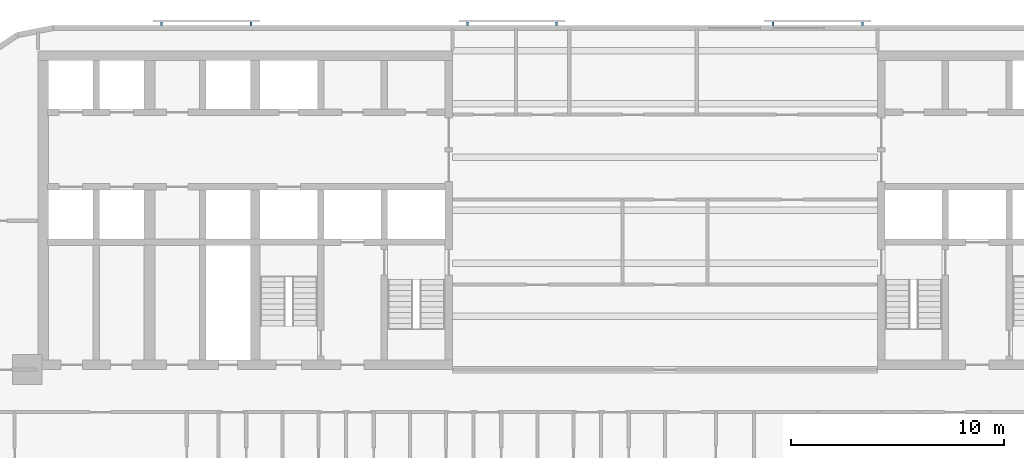
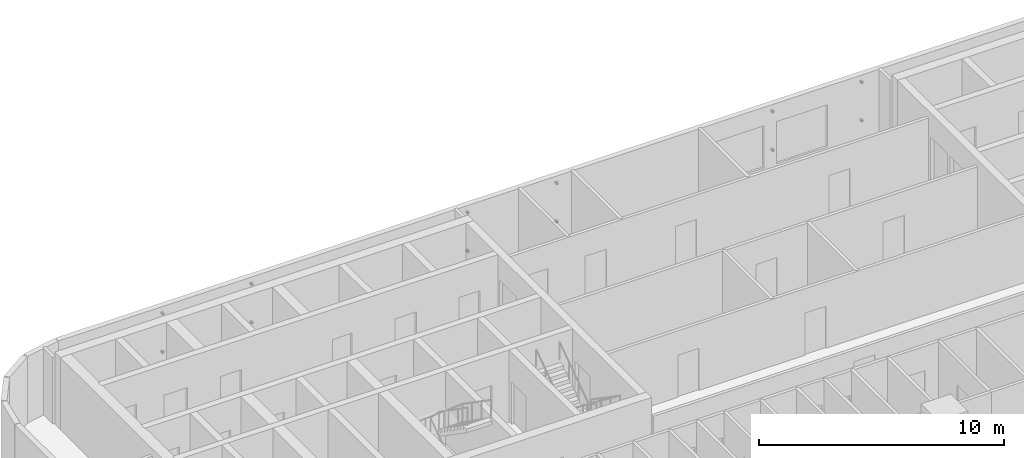
# One storey, part 9 of 13: 12 discrete accessories.
"""IFC4 building model written with IfcOpenShell, lengths in metres."""

from ifc_helpers import new_model, si_unit, direction, frame, origin, origin_2d, place, context, subcontext, project, spatial, rectangle, extrude, material, type_object, element, save


model = new_model("IFC4")

# Units and contexts
model_context = context("Model", 3, precision=1e-05, world=origin(), true_north=direction((0.0, 1.0)))
body_context = subcontext(model_context, "Body", "Model", "MODEL_VIEW")
ifc_project = project(units=[si_unit("LENGTHUNIT", "METRE"), si_unit("AREAUNIT", "SQUARE_METRE"), si_unit("VOLUMEUNIT", "CUBIC_METRE"), si_unit("PLANEANGLEUNIT", "RADIAN"), si_unit("MASSUNIT", "GRAM", prefix="KILO")], contexts=[model_context])

# Site, building, storey
site_placement = place(None, origin())
site = spatial("IfcSite", under=ifc_project, at=site_placement, CompositionType="ELEMENT")
building_placement = place(site_placement, origin())
building = spatial("IfcBuilding", under=site, at=building_placement, Name="Torana Hotel and Residences", CompositionType="ELEMENT")
storey_placement = place(building_placement, frame((0.0, 0.0, 56.39990234375)))
storey = spatial("IfcBuildingStorey", under=building, at=storey_placement, Name="L13", CompositionType="ELEMENT", Elevation=56.39990234375)

# Discrete accessories
ifc_material = material(Name="Steel S355", Category="steel")
discrete_accessory_type = type_object("IfcDiscreteAccessoryType", Name="SCREEN BRACKET 100", PredefinedType="BRACKET", material=ifc_material)
for number, where, z_axis, x_axis, name in (
    (1, (9.293701171875, 1.27490234375, 0.75), (0.0, 0.0, 1.0), (-1.0, 0.0, 0.0), "Screen bracket L13"),
    (2, (9.293701171875, 1.27490234375, 2.670166015625), (0.0, 0.0, 1.0), (-1.0, 0.0, 0.0), "Screen bracket L13"),
    (3, (5.09375, 1.27490234375, 0.75), (0.0, 0.0, 1.0), (-1.0, 0.0, 0.0), "Screen bracket L13"),
    (4, (5.09375, 1.27490234375, 2.670166015625), (0.0, 0.0, 1.0), (-1.0, 0.0, 0.0), "Screen bracket L13"),
    (5, (-5.09375, 1.27490234375, 0.75), (0.0, 0.0, 1.0), (-1.0, 0.0, 0.0), "Screen bracket L13"),
    (6, (-5.09375, 1.27490234375, 2.670166015625), (0.0, 0.0, 1.0), (-1.0, 0.0, 0.0), "Screen bracket L13"),
    (7, (-9.293701171875, 1.27490234375, 0.75), (0.0, 0.0, 1.0), (-1.0, 0.0, 0.0), "Screen bracket L13"),
    (8, (-9.293701171875, 1.27490234375, 2.670166015625), (0.0, 0.0, 1.0), (-1.0, 0.0, 0.0), "Screen bracket L13"),
    (9, (-19.4814453125, 1.27490234375, 0.75), (0.0, 0.0, 1.0), (-1.0, 0.0, 0.0), "Screen bracket L13"),
    (10, (-19.4814453125, 1.27490234375, 2.670166015625), (0.0, 0.0, 1.0), (-1.0, 0.0, 0.0), "Screen bracket L13"),
    (11, (-23.681396484375, 1.27490234375, 0.75), (0.0, 0.0, 1.0), (-1.0, 0.0, 0.0), "Screen bracket L13"),
    (12, (-23.681396484375, 1.27490234375, 2.670166015625), (0.0, 0.0, 1.0), (-1.0, 0.0, 0.0), "Screen bracket L13"),
):
    element("IfcDiscreteAccessory", number, at=place(storey_placement, frame(where, z_axis=z_axis, x_axis=x_axis)), inside=storey, type_object=discrete_accessory_type, Name=name, PredefinedType="BRACKET", context=body_context, shape_type="SweptSolid", body=[
        extrude(rectangle(XDim=0.10009765625, YDim=0.14990234375, at=origin_2d()), origin(), (0.0, 0.0, 1.0), 0.10009765625),
    ])

save(model, "model.ifc")
